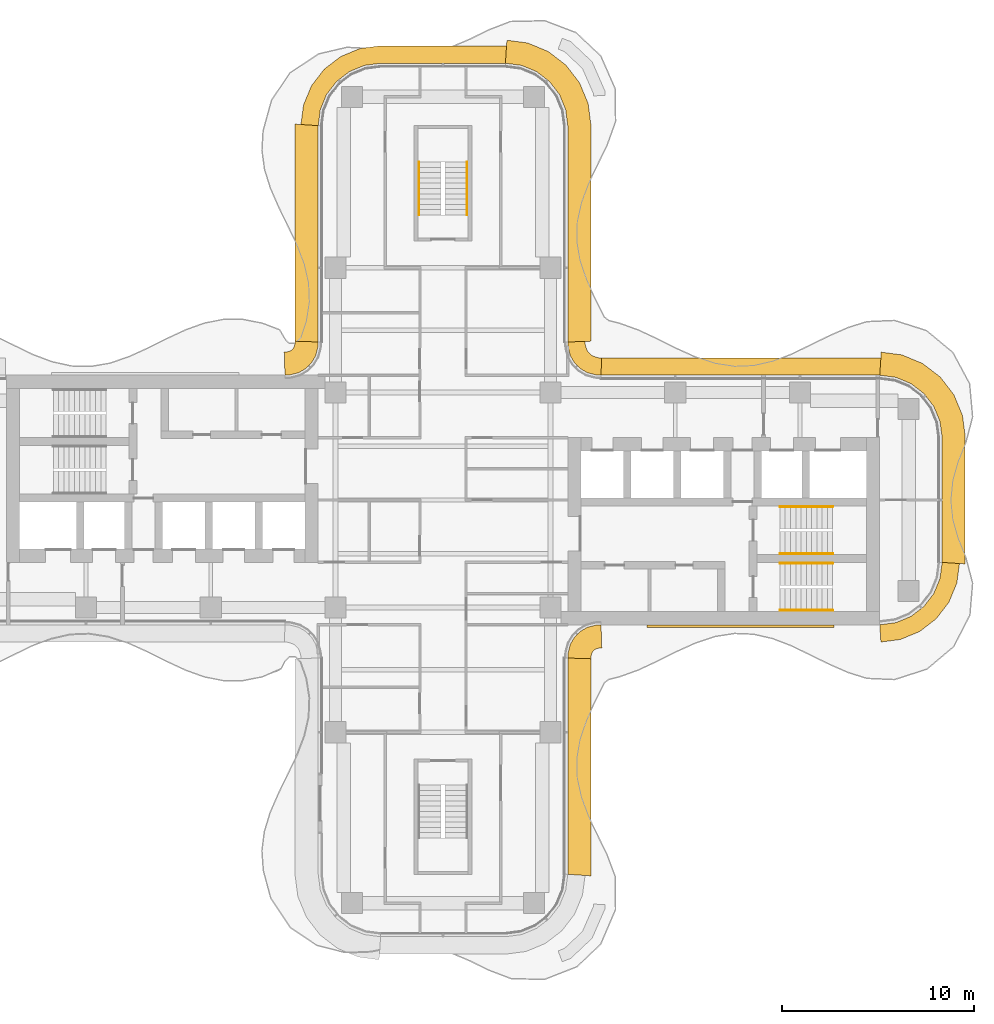
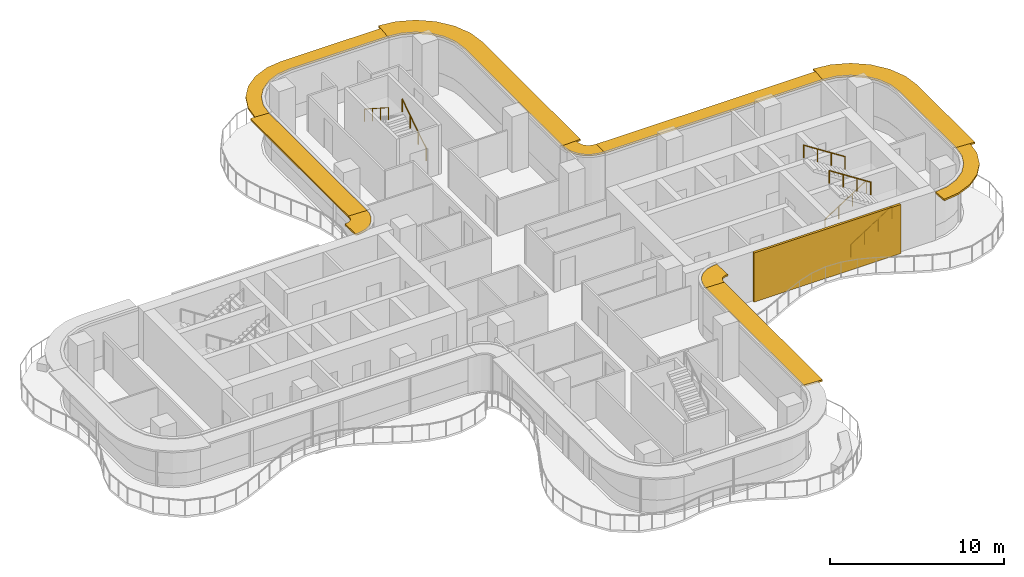
# One storey, part 16 of 16: 10 shading devices, 6 railings, 1 covering.
"""IFC4 building model written with IfcOpenShell, lengths in metres."""

from ifc_helpers import new_model, si_unit, direction, frame, origin, origin_2d, place, context, subcontext, project, spatial, polyline, circle, outline, extrude, source, transform, mapped, material, layer, layer_set, type_object, element, save


model = new_model("IFC4")

# Units and contexts
model_context = context("Model", 3, precision=1e-05, world=origin(), true_north=direction((0.0, 1.0)))
body_context = subcontext(model_context, "Body", "Model", "MODEL_VIEW")
ifc_project = project(units=[si_unit("LENGTHUNIT", "METRE"), si_unit("AREAUNIT", "SQUARE_METRE"), si_unit("VOLUMEUNIT", "CUBIC_METRE"), si_unit("PLANEANGLEUNIT", "RADIAN"), si_unit("MASSUNIT", "GRAM", prefix="KILO")], contexts=[model_context])

# Site, building, storey
site_placement = place(None, origin())
site = spatial("IfcSite", under=ifc_project, at=site_placement, CompositionType="ELEMENT")
building_placement = place(site_placement, origin())
building = spatial("IfcBuilding", under=site, at=building_placement, Name="Trellis Farm Tower", CompositionType="ELEMENT")
storey_placement = place(building_placement, frame((0.0, 0.0, 267.5)))
storey = spatial("IfcBuildingStorey", under=building, at=storey_placement, Name="L60", CompositionType="ELEMENT", Elevation=267.5)

# Covering
ifc_material_1 = material(Name="Perforated precast screen (cobogo)", Category="concrete")
ifc_layer_1 = layer(ifc_material_1, 0.14990234375)
ifc_layer_set_1 = layer_set([ifc_layer_1], Name="COBOGO SCREEN PANEL")
covering_type = type_object("IfcCoveringType", Name="COBOGO SCREEN PANEL", PredefinedType="USERDEFINED", material=ifc_layer_set_1)
covering_placement = place(storey_placement, origin())
element("IfcCovering", 1, at=covering_placement, inside=storey, type_object=covering_type, Name="SC1 01", ObjectType="SCREEN", PredefinedType="USERDEFINED", context=body_context, shape_type="SweptSolid", body=[
    extrude(outline(polyline([(10.61572265625, -6.64990234375), (20.36572265625, -6.64990234375), (20.36572265625, -6.5), (10.61572265625, -6.5), (10.61572265625, -6.64990234375)])), origin(), (0.0, 0.0, 1.0), 3.449951171875),
])

# Railings
ifc_material_2 = material(Name="Stainless steel", Category="steel")
railing_type = type_object("IfcRailingType", Name="STAIR HANDRAIL 900", PredefinedType="HANDRAIL", material=ifc_material_2)
shared_shape_1 = source(origin(), body_context, "Body", "SweptSolid", [
    extrude(circle(Radius=0.02392578125, at=origin_2d()), frame((0.0, 0.0, 0.8759765625), z_axis=(0.0, 0.840503830235, 0.541805602924), x_axis=(-1.0, 0.0, 0.0)), (0.0, 0.0, 1.0), 3.271728515625),
    extrude(circle(Radius=0.02099609375, at=origin_2d()), origin(), (0.0, 0.0, 1.0), 0.851806640625),
    extrude(circle(Radius=0.02099609375, at=origin_2d()), frame((0.0, 0.916748046875, 0.5908203125)), (0.0, 0.0, 1.0), 0.851806640625),
    extrude(circle(Radius=0.02099609375, at=origin_2d()), frame((0.0, 1.833251953125, 1.181884765625)), (0.0, 0.0, 1.0), 0.851806640625),
    extrude(circle(Radius=0.02099609375, at=origin_2d()), frame((0.0, 2.75, 1.772705078125)), (0.0, 0.0, 1.0), 0.851806640625),
])
railing_1_placement = place(storey_placement, frame((1.25, 14.85009765625, 0.17724609375)))
element("IfcRailing", 2, at=railing_1_placement, inside=storey, type_object=railing_type, Name="Stair handrail", PredefinedType="HANDRAIL", context=body_context, shape_type="MappedRepresentation", body=[
    mapped(shared_shape_1, transform((0.0, 0.0, 0.0))),
])
shared_shape_2 = source(origin(), body_context, "Body", "SweptSolid", [
    extrude(circle(Radius=0.02392578125, at=origin_2d()), frame((0.0, 0.0, 0.8759765625), z_axis=(0.0, -0.840503830235, 0.541805602924), x_axis=(1.0, 0.0, 0.0)), (0.0, 0.0, 1.0), 3.271728515625),
    extrude(circle(Radius=0.02099609375, at=origin_2d()), origin(), (0.0, 0.0, 1.0), 0.851806640625),
    extrude(circle(Radius=0.02099609375, at=origin_2d()), frame((0.0, -0.916748046875, 0.5908203125)), (0.0, 0.0, 1.0), 0.851806640625),
    extrude(circle(Radius=0.02099609375, at=origin_2d()), frame((0.0, -1.833251953125, 1.181884765625)), (0.0, 0.0, 1.0), 0.851806640625),
    extrude(circle(Radius=0.02099609375, at=origin_2d()), frame((0.0, -2.75, 1.772705078125)), (0.0, 0.0, 1.0), 0.851806640625),
])
railing_2_placement = place(storey_placement, frame((-1.25, 17.60009765625, 2.127197265625)))
element("IfcRailing", 3, at=railing_2_placement, inside=storey, type_object=railing_type, Name="Stair handrail", PredefinedType="HANDRAIL", context=body_context, shape_type="MappedRepresentation", body=[
    mapped(shared_shape_2, transform((0.0, 0.0, 0.0))),
])
shared_shape_3 = source(origin(), body_context, "Body", "SweptSolid", [
    extrude(circle(Radius=0.02392578125, at=origin_2d()), frame((0.0, 0.0, 0.8759765625), z_axis=(0.840503830235, 0.0, 0.541805602924), x_axis=(0.0, 1.0, 0.0)), (0.0, 0.0, 1.0), 3.271728515625),
    extrude(circle(Radius=0.02099609375, at=origin_2d()), origin(), (0.0, 0.0, 1.0), 0.851806640625),
    extrude(circle(Radius=0.02099609375, at=origin_2d()), frame((0.916748046875, 0.0, 0.5908203125)), (0.0, 0.0, 1.0), 0.851806640625),
    extrude(circle(Radius=0.02099609375, at=origin_2d()), frame((1.833251953125, 0.0, 1.181884765625)), (0.0, 0.0, 1.0), 0.851806640625),
    extrude(circle(Radius=0.02099609375, at=origin_2d()), frame((2.75, 0.0, 1.772705078125)), (0.0, 0.0, 1.0), 0.851806640625),
])
for number, where, name in (
    (4, (17.550048828125, -5.75, 0.17724609375), "Stair handrail"),
    (5, (17.550048828125, -2.800048828125, 0.17724609375), "Stair handrail"),
):
    element("IfcRailing", number, at=place(storey_placement, frame(where)), inside=storey, type_object=railing_type, Name=name, PredefinedType="HANDRAIL", context=body_context, shape_type="MappedRepresentation", body=[
        mapped(shared_shape_3, transform((0.0, 0.0, 0.0))),
    ])
shared_shape_4 = source(origin(), body_context, "Body", "SweptSolid", [
    extrude(circle(Radius=0.02392578125, at=origin_2d()), frame((0.0, 0.0, 0.8759765625), z_axis=(-0.840503830235, 0.0, 0.541805602924), x_axis=(0.0, -1.0, 0.0)), (0.0, 0.0, 1.0), 3.271728515625),
    extrude(circle(Radius=0.02099609375, at=origin_2d()), origin(), (0.0, 0.0, 1.0), 0.851806640625),
    extrude(circle(Radius=0.02099609375, at=origin_2d()), frame((-0.916748046875, 0.0, 0.5908203125)), (0.0, 0.0, 1.0), 0.851806640625),
    extrude(circle(Radius=0.02099609375, at=origin_2d()), frame((-1.833251953125, 0.0, 1.181884765625)), (0.0, 0.0, 1.0), 0.851806640625),
    extrude(circle(Radius=0.02099609375, at=origin_2d()), frame((-2.75, 0.0, 1.772705078125)), (0.0, 0.0, 1.0), 0.851806640625),
])
for number, where, name in (
    (6, (20.300048828125, -3.300048828125, 2.127197265625), "Stair handrail"),
    (7, (20.300048828125, -0.35009765625, 2.127197265625), "Stair handrail"),
):
    element("IfcRailing", number, at=place(storey_placement, frame(where)), inside=storey, type_object=railing_type, Name=name, PredefinedType="HANDRAIL", context=body_context, shape_type="MappedRepresentation", body=[
        mapped(shared_shape_4, transform((0.0, 0.0, 0.0))),
    ])

# Shading devices
ifc_material_3 = material(Name="Aluminium extrusion 6063-T6", Category="aluminium")
ifc_layer_2 = layer(ifc_material_3, 0.1201171875)
ifc_layer_set_2 = layer_set([ifc_layer_2], Name="SUNSHADE BLADE 1200")
shading_device_type_1 = type_object("IfcShadingDeviceType", Name="SUNSHADE BLADE 1200", PredefinedType="USERDEFINED", material=ifc_layer_set_2)
shared_shape_5 = source(origin(), body_context, "Body", "SweptSolid", [
    extrude(outline(polyline([(7.699951171875, -8.270751953125), (7.708740234375, -8.13720703125), (7.70703125, -8.150146484375), (7.7548828125, -7.9716796875), (7.80712890625, -7.881103515625), (7.881103515625, -7.80712890625), (7.9716796875, -7.7548828125), (8.150146484375, -7.70703125), (8.13720703125, -7.708740234375), (8.270751953125, -7.699951171875), (8.2314453125, -6.5), (8.01953125, -6.513916015625), (7.91552734375, -6.527587890625), (7.508544921875, -6.63671875), (7.144287109375, -6.846923828125), (6.846923828125, -7.144287109375), (6.63671875, -7.508544921875), (6.527587890625, -7.91552734375), (6.513916015625, -8.01953125), (6.5, -8.2314453125), (7.699951171875, -8.270751953125)])), origin(), (0.0, 0.0, 1.0), 0.119873046875),
])
placement = place(storey_placement, frame((0.0, 0.0, 3.2900390625)))
element("IfcShadingDevice", 8, at=placement, inside=storey, type_object=shading_device_type_1, Name="SD2 006", ObjectType="SUNSHADE", PredefinedType="USERDEFINED", context=body_context, shape_type="MappedRepresentation", body=[
    mapped(shared_shape_5, transform((0.0, 0.0, 0.0))),
])
ifc_layer_3 = layer(ifc_material_3, 0.1201171875)
ifc_layer_set_3 = layer_set([ifc_layer_3], Name="SUNSHADE BLADE 900")
shading_device_type_2 = type_object("IfcShadingDeviceType", Name="SUNSHADE BLADE 900", PredefinedType="USERDEFINED", material=ifc_layer_set_3)
shared_shape_6 = source(origin(), body_context, "Body", "SweptSolid", [
    extrude(outline(polyline([(8.2607421875, 7.39990234375), (8.107666015625, 7.409912109375), (8.091552734375, 7.412109375), (7.85595703125, 7.475341796875), (7.697021484375, 7.567138671875), (7.567138671875, 7.697021484375), (7.475341796875, 7.85595703125), (7.412109375, 8.091552734375), (7.409912109375, 8.107666015625), (7.39990234375, 8.2607421875), (6.5, 8.2314453125), (6.513916015625, 8.01953125), (6.527587890625, 7.91552734375), (6.63671875, 7.508544921875), (6.846923828125, 7.144287109375), (7.144287109375, 6.846923828125), (7.508544921875, 6.63671875), (7.91552734375, 6.527587890625), (8.01953125, 6.513916015625), (8.2314453125, 6.5), (8.2607421875, 7.39990234375)])), origin(), (0.0, 0.0, 1.0), 0.119873046875),
])
element("IfcShadingDevice", 9, at=placement, inside=storey, type_object=shading_device_type_2, Name="SD1 010", ObjectType="SUNSHADE", PredefinedType="USERDEFINED", context=body_context, shape_type="MappedRepresentation", body=[
    mapped(shared_shape_6, transform((0.0, 0.0, 0.0))),
])
shared_shape_7 = source(origin(), body_context, "Body", "SweptSolid", [
    extrude(outline(polyline([(-7.699951171875, 8.270751953125), (-7.708740234375, 8.13720703125), (-7.70703125, 8.150146484375), (-7.7548828125, 7.9716796875), (-7.80712890625, 7.881103515625), (-7.881103515625, 7.80712890625), (-7.9716796875, 7.7548828125), (-8.150146484375, 7.70703125), (-8.13720703125, 7.708740234375), (-8.270751953125, 7.699951171875), (-8.2314453125, 6.5), (-8.01953125, 6.513916015625), (-7.91552734375, 6.527587890625), (-7.508544921875, 6.63671875), (-7.144287109375, 6.846923828125), (-6.846923828125, 7.144287109375), (-6.63671875, 7.508544921875), (-6.527587890625, 7.91552734375), (-6.513916015625, 8.01953125), (-6.5, 8.2314453125), (-7.699951171875, 8.270751953125)])), origin(), (0.0, 0.0, 1.0), 0.119873046875),
])
element("IfcShadingDevice", 10, at=placement, inside=storey, type_object=shading_device_type_1, Name="SD2 014", ObjectType="SUNSHADE", PredefinedType="USERDEFINED", context=body_context, shape_type="MappedRepresentation", body=[
    mapped(shared_shape_7, transform((0.0, 0.0, 0.0))),
])
shared_shape_8 = source(origin(), body_context, "Body", "SweptSolid", [
    extrude(outline(polyline([(7.699951171875, 8.270751953125), (7.699951171875, 19.57861328125), (7.558349609375, 20.654541015625), (7.11279296875, 21.730224609375), (6.404052734375, 22.654052734375), (5.480224609375, 23.36279296875), (4.404541015625, 23.808349609375), (3.32861328125, 23.949951171875), (3.25, 22.75), (4.091064453125, 22.63916015625), (4.875, 22.314697265625), (5.548095703125, 21.798095703125), (6.064697265625, 21.125), (6.38916015625, 20.341064453125), (6.5, 19.5), (6.5, 8.2314453125), (7.699951171875, 8.270751953125)])), origin(), (0.0, 0.0, 1.0), 0.119873046875),
])
element("IfcShadingDevice", 11, at=placement, inside=storey, type_object=shading_device_type_1, Name="SD2 011", ObjectType="SUNSHADE", PredefinedType="USERDEFINED", context=body_context, shape_type="MappedRepresentation", body=[
    mapped(shared_shape_8, transform((0.0, 0.0, 0.0))),
])
shared_shape_9 = source(origin(), body_context, "Body", "SweptSolid", [
    extrude(outline(polyline([(3.30908203125, 23.64990234375), (-3.30908203125, 23.64990234375), (-4.326171875, 23.51611328125), (-5.328857421875, 23.100830078125), (-6.18994140625, 22.43994140625), (-6.850830078125, 21.578857421875), (-7.26611328125, 20.576171875), (-7.39990234375, 19.55908203125), (-6.5, 19.5), (-6.38916015625, 20.341064453125), (-6.064697265625, 21.125), (-5.548095703125, 21.798095703125), (-4.875, 22.314697265625), (-4.091064453125, 22.63916015625), (-3.25, 22.75), (3.25, 22.75), (3.30908203125, 23.64990234375)])), origin(), (0.0, 0.0, 1.0), 0.119873046875),
])
element("IfcShadingDevice", 12, at=placement, inside=storey, type_object=shading_device_type_2, Name="SD1 012", ObjectType="SUNSHADE", PredefinedType="USERDEFINED", context=body_context, shape_type="MappedRepresentation", body=[
    mapped(shared_shape_9, transform((0.0, 0.0, 0.0))),
])
shared_shape_10 = source(origin(), body_context, "Body", "SweptSolid", [
    extrude(outline(polyline([(-7.699951171875, 19.57861328125), (-7.699951171875, 8.270751953125), (-6.5, 8.2314453125), (-6.5, 19.5), (-7.699951171875, 19.57861328125)])), origin(), (0.0, 0.0, 1.0), 0.119873046875),
])
element("IfcShadingDevice", 13, at=placement, inside=storey, type_object=shading_device_type_1, Name="SD2 013", ObjectType="SUNSHADE", PredefinedType="USERDEFINED", context=body_context, shape_type="MappedRepresentation", body=[
    mapped(shared_shape_10, transform((0.0, 0.0, 0.0))),
])
shared_shape_11 = source(origin(), body_context, "Body", "SweptSolid", [
    extrude(outline(polyline([(22.80908203125, -7.39990234375), (23.826171875, -7.26611328125), (24.828857421875, -6.850830078125), (25.68994140625, -6.18994140625), (26.350830078125, -5.328857421875), (26.76611328125, -4.326171875), (26.89990234375, -3.30908203125), (26.0, -3.25), (25.88916015625, -4.091064453125), (25.564697265625, -4.875), (25.048095703125, -5.548095703125), (24.375, -6.064697265625), (23.591064453125, -6.38916015625), (22.75, -6.5), (22.80908203125, -7.39990234375)])), origin(), (0.0, 0.0, 1.0), 0.119873046875),
])
element("IfcShadingDevice", 14, at=placement, inside=storey, type_object=shading_device_type_2, Name="SD1 007", ObjectType="SUNSHADE", PredefinedType="USERDEFINED", context=body_context, shape_type="MappedRepresentation", body=[
    mapped(shared_shape_11, transform((0.0, 0.0, 0.0))),
])
shared_shape_12 = source(origin(), body_context, "Body", "SweptSolid", [
    extrude(outline(polyline([(27.199951171875, -3.32861328125), (27.199951171875, 3.32861328125), (27.058349609375, 4.404541015625), (26.61279296875, 5.480224609375), (25.904052734375, 6.404052734375), (24.980224609375, 7.11279296875), (23.904541015625, 7.558349609375), (22.82861328125, 7.699951171875), (22.75, 6.5), (23.591064453125, 6.38916015625), (24.375, 6.064697265625), (25.048095703125, 5.548095703125), (25.564697265625, 4.875), (25.88916015625, 4.091064453125), (26.0, 3.25), (26.0, -3.25), (27.199951171875, -3.32861328125)])), origin(), (0.0, 0.0, 1.0), 0.119873046875),
])
element("IfcShadingDevice", 15, at=placement, inside=storey, type_object=shading_device_type_1, Name="SD2 008", ObjectType="SUNSHADE", PredefinedType="USERDEFINED", context=body_context, shape_type="MappedRepresentation", body=[
    mapped(shared_shape_12, transform((0.0, 0.0, 0.0))),
])
shared_shape_13 = source(origin(), body_context, "Body", "SweptSolid", [
    extrude(outline(polyline([(22.80908203125, 7.39990234375), (8.2607421875, 7.39990234375), (8.2314453125, 6.5), (22.75, 6.5), (22.80908203125, 7.39990234375)])), origin(), (0.0, 0.0, 1.0), 0.119873046875),
])
element("IfcShadingDevice", 16, at=placement, inside=storey, type_object=shading_device_type_2, Name="SD1 009", ObjectType="SUNSHADE", PredefinedType="USERDEFINED", context=body_context, shape_type="MappedRepresentation", body=[
    mapped(shared_shape_13, transform((0.0, 0.0, 0.0))),
])
shared_shape_14 = source(origin(), body_context, "Body", "SweptSolid", [
    extrude(outline(polyline([(7.699951171875, -19.57861328125), (7.699951171875, -8.270751953125), (6.5, -8.2314453125), (6.5, -19.5), (7.699951171875, -19.57861328125)])), origin(), (0.0, 0.0, 1.0), 0.119873046875),
])
element("IfcShadingDevice", 17, at=placement, inside=storey, type_object=shading_device_type_1, Name="SD2 005", ObjectType="SUNSHADE", PredefinedType="USERDEFINED", context=body_context, shape_type="MappedRepresentation", body=[
    mapped(shared_shape_14, transform((0.0, 0.0, 0.0))),
])

save(model, "model.ifc")
